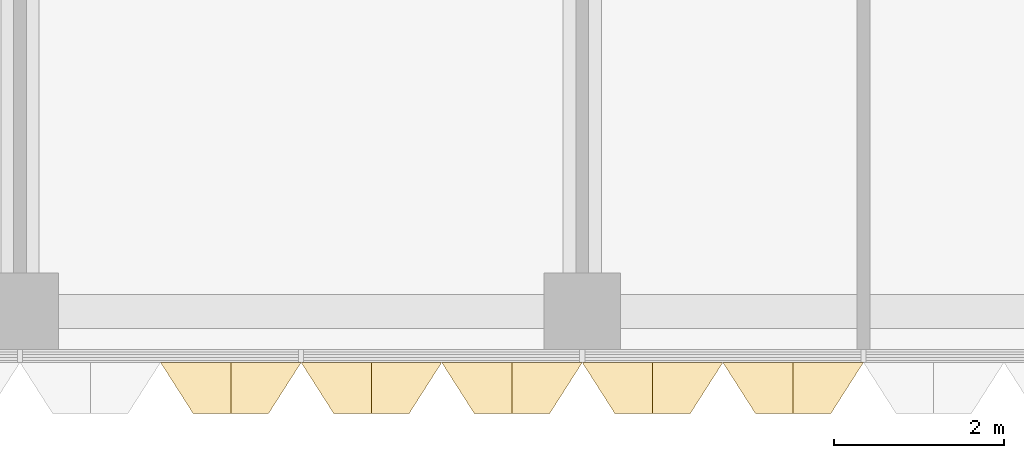
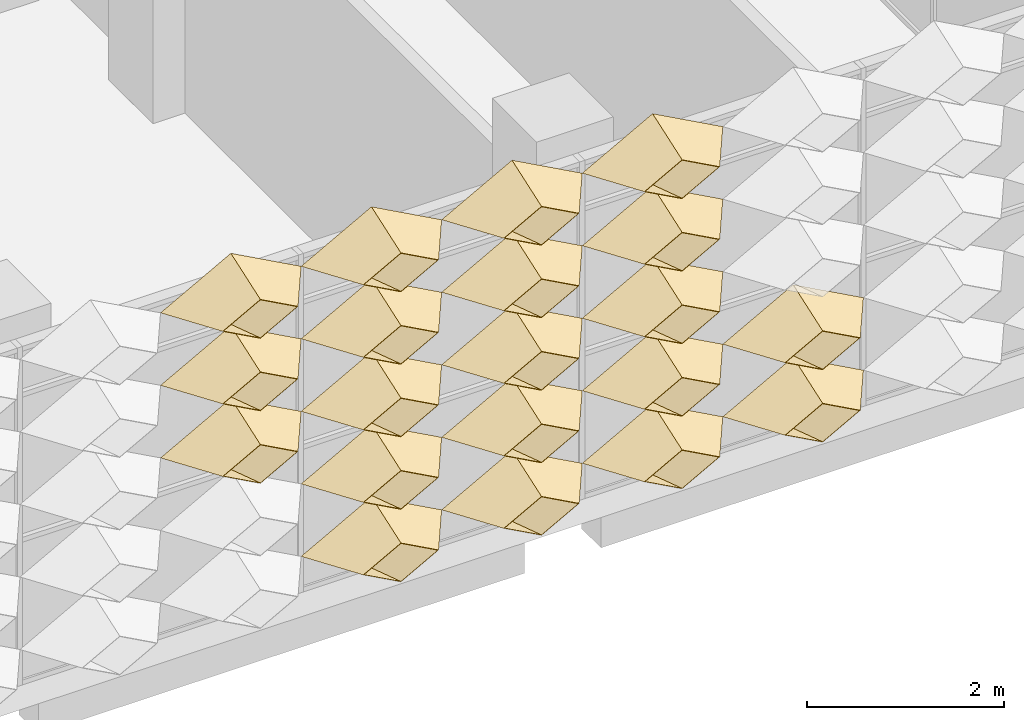
# One storey, part 75 of 102: 20 coverings.
"""IFC4 building model written with IfcOpenShell, lengths in metres."""

from ifc_helpers import new_model, entity, si_unit, direction, frame, origin, place, context, subcontext, project, spatial, material, layer, layer_set, type_object, element, save


model = new_model("IFC4")

# Units and contexts
model_context = context("Model", 3, precision=1e-05, world=origin(), true_north=direction((0.0, 1.0)))
body_context = subcontext(model_context, "Body", "Model", "MODEL_VIEW")
ifc_project = project(units=[si_unit("LENGTHUNIT", "METRE"), si_unit("AREAUNIT", "SQUARE_METRE"), si_unit("VOLUMEUNIT", "CUBIC_METRE"), si_unit("PLANEANGLEUNIT", "RADIAN"), si_unit("MASSUNIT", "GRAM", prefix="KILO")], contexts=[model_context])

# Site, building, storey
site_placement = place(None, origin())
site = spatial("IfcSite", under=ifc_project, at=site_placement, CompositionType="ELEMENT")
building_placement = place(site_placement, origin())
building = spatial("IfcBuilding", under=site, at=building_placement, Name="Lantern Court Research Institute", CompositionType="ELEMENT")
storey_placement = place(building_placement, frame((0.0, 0.0, 9.89990234375)))
storey = spatial("IfcBuildingStorey", under=building, at=storey_placement, Name="L02", CompositionType="ELEMENT", Elevation=9.89990234375)

# Coverings
ifc_material = material(Name="Anodised aluminium", Category="aluminium")
ifc_layer = layer(ifc_material, 0.01611328125)
ifc_layer_set = layer_set([ifc_layer], Name="Anodised aluminium")
covering_type = type_object("IfcCoveringType", Name="Fin cassette 1650 x 900 x 600 aluminium", PredefinedType="CLADDING", material=ifc_layer_set)
covering_1_placement = place(storey_placement, frame((70.125, -8.39990234375, 0.4501953125), z_axis=(0.0, -1.0, 0.0), x_axis=(1.0, 0.0, 0.0)))
cartesian_point_1 = entity("IfcCartesianPoint", [0.824951171875, 0.0])
cartesian_point_2 = entity("IfcCartesianPoint", [0.79150390625, 0.0])
cartesian_point_3 = entity("IfcCartesianPoint", [0.44189453125, 0.0])
cartesian_point_4 = entity("IfcCartesianPoint", [0.43359375, 0.0])
element("IfcCovering", 1, at=covering_1_placement, inside=storey, type_object=covering_type, Name="Fin cassette V5S-L02 1.43", PredefinedType="CLADDING", context=body_context, shape_type="SweptSolid", body=[
    entity("IfcExtrudedAreaSolidTapered", entity("IfcArbitraryProfileDefWithVoids", "AREA", None, entity("IfcPolyline", [cartesian_point_1, entity("IfcCartesianPoint", [0.0, 0.449951171875]), entity("IfcCartesianPoint", [-0.824951171875, 0.0]), entity("IfcCartesianPoint", [0.0, -0.449951171875]), cartesian_point_1]), [entity("IfcPolyline", [cartesian_point_2, entity("IfcCartesianPoint", [0.0, 0.431884765625]), entity("IfcCartesianPoint", [-0.79150390625, 0.0]), entity("IfcCartesianPoint", [0.0, -0.431884765625]), cartesian_point_2])]), entity("IfcAxis2Placement3D", entity("IfcCartesianPoint", [0.0, 0.0, 0.0])), entity("IfcDirection", [0.0, 0.0, 1.0]), 0.60009765625, entity("IfcArbitraryProfileDefWithVoids", "AREA", None, entity("IfcPolyline", [cartesian_point_3, entity("IfcCartesianPoint", [0.0, 0.240966796875]), entity("IfcCartesianPoint", [-0.44189453125, 0.0]), entity("IfcCartesianPoint", [0.0, -0.240966796875]), cartesian_point_3]), [entity("IfcPolyline", [cartesian_point_4, entity("IfcCartesianPoint", [0.0, 0.236572265625]), entity("IfcCartesianPoint", [-0.43359375, 0.0]), entity("IfcCartesianPoint", [0.0, -0.236572265625]), cartesian_point_4])])),
])
covering_2_placement = place(storey_placement, frame((71.77490234375, -8.39990234375, 0.4501953125), z_axis=(0.0, -1.0, 0.0), x_axis=(1.0, 0.0, 0.0)))
cartesian_point_5 = entity("IfcCartesianPoint", [0.824951171875, 0.0])
cartesian_point_6 = entity("IfcCartesianPoint", [0.79150390625, 0.0])
cartesian_point_7 = entity("IfcCartesianPoint", [0.44189453125, 0.0])
cartesian_point_8 = entity("IfcCartesianPoint", [0.43359375, 0.0])
element("IfcCovering", 2, at=covering_2_placement, inside=storey, type_object=covering_type, Name="Fin cassette V5S-L02 1.44", PredefinedType="CLADDING", context=body_context, shape_type="SweptSolid", body=[
    entity("IfcExtrudedAreaSolidTapered", entity("IfcArbitraryProfileDefWithVoids", "AREA", None, entity("IfcPolyline", [cartesian_point_5, entity("IfcCartesianPoint", [0.0, 0.449951171875]), entity("IfcCartesianPoint", [-0.824951171875, 0.0]), entity("IfcCartesianPoint", [0.0, -0.449951171875]), cartesian_point_5]), [entity("IfcPolyline", [cartesian_point_6, entity("IfcCartesianPoint", [0.0, 0.431884765625]), entity("IfcCartesianPoint", [-0.79150390625, 0.0]), entity("IfcCartesianPoint", [0.0, -0.431884765625]), cartesian_point_6])]), entity("IfcAxis2Placement3D", entity("IfcCartesianPoint", [0.0, 0.0, 0.0])), entity("IfcDirection", [0.0, 0.0, 1.0]), 0.60009765625, entity("IfcArbitraryProfileDefWithVoids", "AREA", None, entity("IfcPolyline", [cartesian_point_7, entity("IfcCartesianPoint", [0.0, 0.240966796875]), entity("IfcCartesianPoint", [-0.44189453125, 0.0]), entity("IfcCartesianPoint", [0.0, -0.240966796875]), cartesian_point_7]), [entity("IfcPolyline", [cartesian_point_8, entity("IfcCartesianPoint", [0.0, 0.236572265625]), entity("IfcCartesianPoint", [-0.43359375, 0.0]), entity("IfcCartesianPoint", [0.0, -0.236572265625]), cartesian_point_8])])),
])
covering_3_placement = place(storey_placement, frame((73.425048828125, -8.39990234375, 0.4501953125), z_axis=(0.0, -1.0, 0.0), x_axis=(1.0, 0.0, 0.0)))
cartesian_point_9 = entity("IfcCartesianPoint", [0.824951171875, 0.0])
cartesian_point_10 = entity("IfcCartesianPoint", [0.79150390625, 0.0])
cartesian_point_11 = entity("IfcCartesianPoint", [0.44189453125, 0.0])
cartesian_point_12 = entity("IfcCartesianPoint", [0.43359375, 0.0])
element("IfcCovering", 3, at=covering_3_placement, inside=storey, type_object=covering_type, Name="Fin cassette V5S-L02 1.45", PredefinedType="CLADDING", context=body_context, shape_type="SweptSolid", body=[
    entity("IfcExtrudedAreaSolidTapered", entity("IfcArbitraryProfileDefWithVoids", "AREA", None, entity("IfcPolyline", [cartesian_point_9, entity("IfcCartesianPoint", [0.0, 0.449951171875]), entity("IfcCartesianPoint", [-0.824951171875, 0.0]), entity("IfcCartesianPoint", [0.0, -0.449951171875]), cartesian_point_9]), [entity("IfcPolyline", [cartesian_point_10, entity("IfcCartesianPoint", [0.0, 0.431884765625]), entity("IfcCartesianPoint", [-0.79150390625, 0.0]), entity("IfcCartesianPoint", [0.0, -0.431884765625]), cartesian_point_10])]), entity("IfcAxis2Placement3D", entity("IfcCartesianPoint", [0.0, 0.0, 0.0])), entity("IfcDirection", [0.0, 0.0, 1.0]), 0.60009765625, entity("IfcArbitraryProfileDefWithVoids", "AREA", None, entity("IfcPolyline", [cartesian_point_11, entity("IfcCartesianPoint", [0.0, 0.240966796875]), entity("IfcCartesianPoint", [-0.44189453125, 0.0]), entity("IfcCartesianPoint", [0.0, -0.240966796875]), cartesian_point_11]), [entity("IfcPolyline", [cartesian_point_12, entity("IfcCartesianPoint", [0.0, 0.236572265625]), entity("IfcCartesianPoint", [-0.43359375, 0.0]), entity("IfcCartesianPoint", [0.0, -0.236572265625]), cartesian_point_12])])),
])
covering_4_placement = place(storey_placement, frame((75.074951171875, -8.39990234375, 0.4501953125), z_axis=(0.0, -1.0, 0.0), x_axis=(1.0, 0.0, 0.0)))
cartesian_point_13 = entity("IfcCartesianPoint", [0.824951171875, 0.0])
cartesian_point_14 = entity("IfcCartesianPoint", [0.79150390625, 0.0])
cartesian_point_15 = entity("IfcCartesianPoint", [0.44189453125, 0.0])
cartesian_point_16 = entity("IfcCartesianPoint", [0.43359375, 0.0])
element("IfcCovering", 4, at=covering_4_placement, inside=storey, type_object=covering_type, Name="Fin cassette V5S-L02 1.46", PredefinedType="CLADDING", context=body_context, shape_type="SweptSolid", body=[
    entity("IfcExtrudedAreaSolidTapered", entity("IfcArbitraryProfileDefWithVoids", "AREA", None, entity("IfcPolyline", [cartesian_point_13, entity("IfcCartesianPoint", [0.0, 0.449951171875]), entity("IfcCartesianPoint", [-0.824951171875, 0.0]), entity("IfcCartesianPoint", [0.0, -0.449951171875]), cartesian_point_13]), [entity("IfcPolyline", [cartesian_point_14, entity("IfcCartesianPoint", [0.0, 0.431884765625]), entity("IfcCartesianPoint", [-0.79150390625, 0.0]), entity("IfcCartesianPoint", [0.0, -0.431884765625]), cartesian_point_14])]), entity("IfcAxis2Placement3D", entity("IfcCartesianPoint", [0.0, 0.0, 0.0])), entity("IfcDirection", [0.0, 0.0, 1.0]), 0.60009765625, entity("IfcArbitraryProfileDefWithVoids", "AREA", None, entity("IfcPolyline", [cartesian_point_15, entity("IfcCartesianPoint", [0.0, 0.240966796875]), entity("IfcCartesianPoint", [-0.44189453125, 0.0]), entity("IfcCartesianPoint", [0.0, -0.240966796875]), cartesian_point_15]), [entity("IfcPolyline", [cartesian_point_16, entity("IfcCartesianPoint", [0.0, 0.236572265625]), entity("IfcCartesianPoint", [-0.43359375, 0.0]), entity("IfcCartesianPoint", [0.0, -0.236572265625]), cartesian_point_16])])),
])
covering_5_placement = place(storey_placement, frame((70.125, -8.39990234375, 1.35009765625), z_axis=(0.0, -1.0, 0.0), x_axis=(1.0, 0.0, 0.0)))
cartesian_point_17 = entity("IfcCartesianPoint", [0.824951171875, 0.0])
cartesian_point_18 = entity("IfcCartesianPoint", [0.79150390625, 0.0])
cartesian_point_19 = entity("IfcCartesianPoint", [0.44189453125, 0.0])
cartesian_point_20 = entity("IfcCartesianPoint", [0.43359375, 0.0])
element("IfcCovering", 5, at=covering_5_placement, inside=storey, type_object=covering_type, Name="Fin cassette V5S-L02 2.43", PredefinedType="CLADDING", context=body_context, shape_type="SweptSolid", body=[
    entity("IfcExtrudedAreaSolidTapered", entity("IfcArbitraryProfileDefWithVoids", "AREA", None, entity("IfcPolyline", [cartesian_point_17, entity("IfcCartesianPoint", [0.0, 0.449951171875]), entity("IfcCartesianPoint", [-0.824951171875, 0.0]), entity("IfcCartesianPoint", [0.0, -0.449951171875]), cartesian_point_17]), [entity("IfcPolyline", [cartesian_point_18, entity("IfcCartesianPoint", [0.0, 0.431884765625]), entity("IfcCartesianPoint", [-0.79150390625, 0.0]), entity("IfcCartesianPoint", [0.0, -0.431884765625]), cartesian_point_18])]), entity("IfcAxis2Placement3D", entity("IfcCartesianPoint", [0.0, 0.0, 0.0])), entity("IfcDirection", [0.0, 0.0, 1.0]), 0.60009765625, entity("IfcArbitraryProfileDefWithVoids", "AREA", None, entity("IfcPolyline", [cartesian_point_19, entity("IfcCartesianPoint", [0.0, 0.240966796875]), entity("IfcCartesianPoint", [-0.44189453125, 0.0]), entity("IfcCartesianPoint", [0.0, -0.240966796875]), cartesian_point_19]), [entity("IfcPolyline", [cartesian_point_20, entity("IfcCartesianPoint", [0.0, 0.236572265625]), entity("IfcCartesianPoint", [-0.43359375, 0.0]), entity("IfcCartesianPoint", [0.0, -0.236572265625]), cartesian_point_20])])),
])
covering_6_placement = place(storey_placement, frame((71.77490234375, -8.39990234375, 1.35009765625), z_axis=(0.0, -1.0, 0.0), x_axis=(1.0, 0.0, 0.0)))
cartesian_point_21 = entity("IfcCartesianPoint", [0.824951171875, 0.0])
cartesian_point_22 = entity("IfcCartesianPoint", [0.79150390625, 0.0])
cartesian_point_23 = entity("IfcCartesianPoint", [0.44189453125, 0.0])
cartesian_point_24 = entity("IfcCartesianPoint", [0.43359375, 0.0])
element("IfcCovering", 6, at=covering_6_placement, inside=storey, type_object=covering_type, Name="Fin cassette V5S-L02 2.44", PredefinedType="CLADDING", context=body_context, shape_type="SweptSolid", body=[
    entity("IfcExtrudedAreaSolidTapered", entity("IfcArbitraryProfileDefWithVoids", "AREA", None, entity("IfcPolyline", [cartesian_point_21, entity("IfcCartesianPoint", [0.0, 0.449951171875]), entity("IfcCartesianPoint", [-0.824951171875, 0.0]), entity("IfcCartesianPoint", [0.0, -0.449951171875]), cartesian_point_21]), [entity("IfcPolyline", [cartesian_point_22, entity("IfcCartesianPoint", [0.0, 0.431884765625]), entity("IfcCartesianPoint", [-0.79150390625, 0.0]), entity("IfcCartesianPoint", [0.0, -0.431884765625]), cartesian_point_22])]), entity("IfcAxis2Placement3D", entity("IfcCartesianPoint", [0.0, 0.0, 0.0])), entity("IfcDirection", [0.0, 0.0, 1.0]), 0.60009765625, entity("IfcArbitraryProfileDefWithVoids", "AREA", None, entity("IfcPolyline", [cartesian_point_23, entity("IfcCartesianPoint", [0.0, 0.240966796875]), entity("IfcCartesianPoint", [-0.44189453125, 0.0]), entity("IfcCartesianPoint", [0.0, -0.240966796875]), cartesian_point_23]), [entity("IfcPolyline", [cartesian_point_24, entity("IfcCartesianPoint", [0.0, 0.236572265625]), entity("IfcCartesianPoint", [-0.43359375, 0.0]), entity("IfcCartesianPoint", [0.0, -0.236572265625]), cartesian_point_24])])),
])
covering_7_placement = place(storey_placement, frame((73.425048828125, -8.39990234375, 1.35009765625), z_axis=(0.0, -1.0, 0.0), x_axis=(1.0, 0.0, 0.0)))
cartesian_point_25 = entity("IfcCartesianPoint", [0.824951171875, 0.0])
cartesian_point_26 = entity("IfcCartesianPoint", [0.79150390625, 0.0])
cartesian_point_27 = entity("IfcCartesianPoint", [0.44189453125, 0.0])
cartesian_point_28 = entity("IfcCartesianPoint", [0.43359375, 0.0])
element("IfcCovering", 7, at=covering_7_placement, inside=storey, type_object=covering_type, Name="Fin cassette V5S-L02 2.45", PredefinedType="CLADDING", context=body_context, shape_type="SweptSolid", body=[
    entity("IfcExtrudedAreaSolidTapered", entity("IfcArbitraryProfileDefWithVoids", "AREA", None, entity("IfcPolyline", [cartesian_point_25, entity("IfcCartesianPoint", [0.0, 0.449951171875]), entity("IfcCartesianPoint", [-0.824951171875, 0.0]), entity("IfcCartesianPoint", [0.0, -0.449951171875]), cartesian_point_25]), [entity("IfcPolyline", [cartesian_point_26, entity("IfcCartesianPoint", [0.0, 0.431884765625]), entity("IfcCartesianPoint", [-0.79150390625, 0.0]), entity("IfcCartesianPoint", [0.0, -0.431884765625]), cartesian_point_26])]), entity("IfcAxis2Placement3D", entity("IfcCartesianPoint", [0.0, 0.0, 0.0])), entity("IfcDirection", [0.0, 0.0, 1.0]), 0.60009765625, entity("IfcArbitraryProfileDefWithVoids", "AREA", None, entity("IfcPolyline", [cartesian_point_27, entity("IfcCartesianPoint", [0.0, 0.240966796875]), entity("IfcCartesianPoint", [-0.44189453125, 0.0]), entity("IfcCartesianPoint", [0.0, -0.240966796875]), cartesian_point_27]), [entity("IfcPolyline", [cartesian_point_28, entity("IfcCartesianPoint", [0.0, 0.236572265625]), entity("IfcCartesianPoint", [-0.43359375, 0.0]), entity("IfcCartesianPoint", [0.0, -0.236572265625]), cartesian_point_28])])),
])
covering_8_placement = place(storey_placement, frame((75.074951171875, -8.39990234375, 1.35009765625), z_axis=(0.0, -1.0, 0.0), x_axis=(1.0, 0.0, 0.0)))
cartesian_point_29 = entity("IfcCartesianPoint", [0.824951171875, 0.0])
cartesian_point_30 = entity("IfcCartesianPoint", [0.79150390625, 0.0])
cartesian_point_31 = entity("IfcCartesianPoint", [0.44189453125, 0.0])
cartesian_point_32 = entity("IfcCartesianPoint", [0.43359375, 0.0])
element("IfcCovering", 8, at=covering_8_placement, inside=storey, type_object=covering_type, Name="Fin cassette V5S-L02 2.46", PredefinedType="CLADDING", context=body_context, shape_type="SweptSolid", body=[
    entity("IfcExtrudedAreaSolidTapered", entity("IfcArbitraryProfileDefWithVoids", "AREA", None, entity("IfcPolyline", [cartesian_point_29, entity("IfcCartesianPoint", [0.0, 0.449951171875]), entity("IfcCartesianPoint", [-0.824951171875, 0.0]), entity("IfcCartesianPoint", [0.0, -0.449951171875]), cartesian_point_29]), [entity("IfcPolyline", [cartesian_point_30, entity("IfcCartesianPoint", [0.0, 0.431884765625]), entity("IfcCartesianPoint", [-0.79150390625, 0.0]), entity("IfcCartesianPoint", [0.0, -0.431884765625]), cartesian_point_30])]), entity("IfcAxis2Placement3D", entity("IfcCartesianPoint", [0.0, 0.0, 0.0])), entity("IfcDirection", [0.0, 0.0, 1.0]), 0.60009765625, entity("IfcArbitraryProfileDefWithVoids", "AREA", None, entity("IfcPolyline", [cartesian_point_31, entity("IfcCartesianPoint", [0.0, 0.240966796875]), entity("IfcCartesianPoint", [-0.44189453125, 0.0]), entity("IfcCartesianPoint", [0.0, -0.240966796875]), cartesian_point_31]), [entity("IfcPolyline", [cartesian_point_32, entity("IfcCartesianPoint", [0.0, 0.236572265625]), entity("IfcCartesianPoint", [-0.43359375, 0.0]), entity("IfcCartesianPoint", [0.0, -0.236572265625]), cartesian_point_32])])),
])
covering_9_placement = place(storey_placement, frame((68.47509765625, -8.39990234375, 2.25), z_axis=(0.0, -1.0, 0.0), x_axis=(1.0, 0.0, 0.0)))
cartesian_point_33 = entity("IfcCartesianPoint", [0.824951171875, 0.0])
cartesian_point_34 = entity("IfcCartesianPoint", [0.79150390625, 0.0])
cartesian_point_35 = entity("IfcCartesianPoint", [0.44189453125, 0.0])
cartesian_point_36 = entity("IfcCartesianPoint", [0.43359375, 0.0])
element("IfcCovering", 9, at=covering_9_placement, inside=storey, type_object=covering_type, Name="Fin cassette V5S-L02 3.42", PredefinedType="CLADDING", context=body_context, shape_type="SweptSolid", body=[
    entity("IfcExtrudedAreaSolidTapered", entity("IfcArbitraryProfileDefWithVoids", "AREA", None, entity("IfcPolyline", [cartesian_point_33, entity("IfcCartesianPoint", [0.0, 0.449951171875]), entity("IfcCartesianPoint", [-0.824951171875, 0.0]), entity("IfcCartesianPoint", [0.0, -0.449951171875]), cartesian_point_33]), [entity("IfcPolyline", [cartesian_point_34, entity("IfcCartesianPoint", [0.0, 0.431884765625]), entity("IfcCartesianPoint", [-0.79150390625, 0.0]), entity("IfcCartesianPoint", [0.0, -0.431884765625]), cartesian_point_34])]), entity("IfcAxis2Placement3D", entity("IfcCartesianPoint", [0.0, 0.0, 0.0])), entity("IfcDirection", [0.0, 0.0, 1.0]), 0.60009765625, entity("IfcArbitraryProfileDefWithVoids", "AREA", None, entity("IfcPolyline", [cartesian_point_35, entity("IfcCartesianPoint", [0.0, 0.240966796875]), entity("IfcCartesianPoint", [-0.44189453125, 0.0]), entity("IfcCartesianPoint", [0.0, -0.240966796875]), cartesian_point_35]), [entity("IfcPolyline", [cartesian_point_36, entity("IfcCartesianPoint", [0.0, 0.236572265625]), entity("IfcCartesianPoint", [-0.43359375, 0.0]), entity("IfcCartesianPoint", [0.0, -0.236572265625]), cartesian_point_36])])),
])
covering_10_placement = place(storey_placement, frame((70.125, -8.39990234375, 2.25), z_axis=(0.0, -1.0, 0.0), x_axis=(1.0, 0.0, 0.0)))
cartesian_point_37 = entity("IfcCartesianPoint", [0.824951171875, 0.0])
cartesian_point_38 = entity("IfcCartesianPoint", [0.79150390625, 0.0])
cartesian_point_39 = entity("IfcCartesianPoint", [0.44189453125, 0.0])
cartesian_point_40 = entity("IfcCartesianPoint", [0.43359375, 0.0])
element("IfcCovering", 10, at=covering_10_placement, inside=storey, type_object=covering_type, Name="Fin cassette V5S-L02 3.43", PredefinedType="CLADDING", context=body_context, shape_type="SweptSolid", body=[
    entity("IfcExtrudedAreaSolidTapered", entity("IfcArbitraryProfileDefWithVoids", "AREA", None, entity("IfcPolyline", [cartesian_point_37, entity("IfcCartesianPoint", [0.0, 0.449951171875]), entity("IfcCartesianPoint", [-0.824951171875, 0.0]), entity("IfcCartesianPoint", [0.0, -0.449951171875]), cartesian_point_37]), [entity("IfcPolyline", [cartesian_point_38, entity("IfcCartesianPoint", [0.0, 0.431884765625]), entity("IfcCartesianPoint", [-0.79150390625, 0.0]), entity("IfcCartesianPoint", [0.0, -0.431884765625]), cartesian_point_38])]), entity("IfcAxis2Placement3D", entity("IfcCartesianPoint", [0.0, 0.0, 0.0])), entity("IfcDirection", [0.0, 0.0, 1.0]), 0.60009765625, entity("IfcArbitraryProfileDefWithVoids", "AREA", None, entity("IfcPolyline", [cartesian_point_39, entity("IfcCartesianPoint", [0.0, 0.240966796875]), entity("IfcCartesianPoint", [-0.44189453125, 0.0]), entity("IfcCartesianPoint", [0.0, -0.240966796875]), cartesian_point_39]), [entity("IfcPolyline", [cartesian_point_40, entity("IfcCartesianPoint", [0.0, 0.236572265625]), entity("IfcCartesianPoint", [-0.43359375, 0.0]), entity("IfcCartesianPoint", [0.0, -0.236572265625]), cartesian_point_40])])),
])
covering_11_placement = place(storey_placement, frame((71.77490234375, -8.39990234375, 2.25), z_axis=(0.0, -1.0, 0.0), x_axis=(1.0, 0.0, 0.0)))
cartesian_point_41 = entity("IfcCartesianPoint", [0.824951171875, 0.0])
cartesian_point_42 = entity("IfcCartesianPoint", [0.79150390625, 0.0])
cartesian_point_43 = entity("IfcCartesianPoint", [0.44189453125, 0.0])
cartesian_point_44 = entity("IfcCartesianPoint", [0.43359375, 0.0])
element("IfcCovering", 11, at=covering_11_placement, inside=storey, type_object=covering_type, Name="Fin cassette V5S-L02 3.44", PredefinedType="CLADDING", context=body_context, shape_type="SweptSolid", body=[
    entity("IfcExtrudedAreaSolidTapered", entity("IfcArbitraryProfileDefWithVoids", "AREA", None, entity("IfcPolyline", [cartesian_point_41, entity("IfcCartesianPoint", [0.0, 0.449951171875]), entity("IfcCartesianPoint", [-0.824951171875, 0.0]), entity("IfcCartesianPoint", [0.0, -0.449951171875]), cartesian_point_41]), [entity("IfcPolyline", [cartesian_point_42, entity("IfcCartesianPoint", [0.0, 0.431884765625]), entity("IfcCartesianPoint", [-0.79150390625, 0.0]), entity("IfcCartesianPoint", [0.0, -0.431884765625]), cartesian_point_42])]), entity("IfcAxis2Placement3D", entity("IfcCartesianPoint", [0.0, 0.0, 0.0])), entity("IfcDirection", [0.0, 0.0, 1.0]), 0.60009765625, entity("IfcArbitraryProfileDefWithVoids", "AREA", None, entity("IfcPolyline", [cartesian_point_43, entity("IfcCartesianPoint", [0.0, 0.240966796875]), entity("IfcCartesianPoint", [-0.44189453125, 0.0]), entity("IfcCartesianPoint", [0.0, -0.240966796875]), cartesian_point_43]), [entity("IfcPolyline", [cartesian_point_44, entity("IfcCartesianPoint", [0.0, 0.236572265625]), entity("IfcCartesianPoint", [-0.43359375, 0.0]), entity("IfcCartesianPoint", [0.0, -0.236572265625]), cartesian_point_44])])),
])
covering_12_placement = place(storey_placement, frame((73.425048828125, -8.39990234375, 2.25), z_axis=(0.0, -1.0, 0.0), x_axis=(1.0, 0.0, 0.0)))
cartesian_point_45 = entity("IfcCartesianPoint", [0.824951171875, 0.0])
cartesian_point_46 = entity("IfcCartesianPoint", [0.79150390625, 0.0])
cartesian_point_47 = entity("IfcCartesianPoint", [0.44189453125, 0.0])
cartesian_point_48 = entity("IfcCartesianPoint", [0.43359375, 0.0])
element("IfcCovering", 12, at=covering_12_placement, inside=storey, type_object=covering_type, Name="Fin cassette V5S-L02 3.45", PredefinedType="CLADDING", context=body_context, shape_type="SweptSolid", body=[
    entity("IfcExtrudedAreaSolidTapered", entity("IfcArbitraryProfileDefWithVoids", "AREA", None, entity("IfcPolyline", [cartesian_point_45, entity("IfcCartesianPoint", [0.0, 0.449951171875]), entity("IfcCartesianPoint", [-0.824951171875, 0.0]), entity("IfcCartesianPoint", [0.0, -0.449951171875]), cartesian_point_45]), [entity("IfcPolyline", [cartesian_point_46, entity("IfcCartesianPoint", [0.0, 0.431884765625]), entity("IfcCartesianPoint", [-0.79150390625, 0.0]), entity("IfcCartesianPoint", [0.0, -0.431884765625]), cartesian_point_46])]), entity("IfcAxis2Placement3D", entity("IfcCartesianPoint", [0.0, 0.0, 0.0])), entity("IfcDirection", [0.0, 0.0, 1.0]), 0.60009765625, entity("IfcArbitraryProfileDefWithVoids", "AREA", None, entity("IfcPolyline", [cartesian_point_47, entity("IfcCartesianPoint", [0.0, 0.240966796875]), entity("IfcCartesianPoint", [-0.44189453125, 0.0]), entity("IfcCartesianPoint", [0.0, -0.240966796875]), cartesian_point_47]), [entity("IfcPolyline", [cartesian_point_48, entity("IfcCartesianPoint", [0.0, 0.236572265625]), entity("IfcCartesianPoint", [-0.43359375, 0.0]), entity("IfcCartesianPoint", [0.0, -0.236572265625]), cartesian_point_48])])),
])
covering_13_placement = place(storey_placement, frame((68.47509765625, -8.39990234375, 3.150146484375), z_axis=(0.0, -1.0, 0.0), x_axis=(1.0, 0.0, 0.0)))
cartesian_point_49 = entity("IfcCartesianPoint", [0.824951171875, 0.0])
cartesian_point_50 = entity("IfcCartesianPoint", [0.79150390625, 0.0])
cartesian_point_51 = entity("IfcCartesianPoint", [0.44189453125, 0.0])
cartesian_point_52 = entity("IfcCartesianPoint", [0.43359375, 0.0])
element("IfcCovering", 13, at=covering_13_placement, inside=storey, type_object=covering_type, Name="Fin cassette V5S-L02 4.42", PredefinedType="CLADDING", context=body_context, shape_type="SweptSolid", body=[
    entity("IfcExtrudedAreaSolidTapered", entity("IfcArbitraryProfileDefWithVoids", "AREA", None, entity("IfcPolyline", [cartesian_point_49, entity("IfcCartesianPoint", [0.0, 0.449951171875]), entity("IfcCartesianPoint", [-0.824951171875, 0.0]), entity("IfcCartesianPoint", [0.0, -0.449951171875]), cartesian_point_49]), [entity("IfcPolyline", [cartesian_point_50, entity("IfcCartesianPoint", [0.0, 0.431884765625]), entity("IfcCartesianPoint", [-0.79150390625, 0.0]), entity("IfcCartesianPoint", [0.0, -0.431884765625]), cartesian_point_50])]), entity("IfcAxis2Placement3D", entity("IfcCartesianPoint", [0.0, 0.0, 0.0])), entity("IfcDirection", [0.0, 0.0, 1.0]), 0.60009765625, entity("IfcArbitraryProfileDefWithVoids", "AREA", None, entity("IfcPolyline", [cartesian_point_51, entity("IfcCartesianPoint", [0.0, 0.240966796875]), entity("IfcCartesianPoint", [-0.44189453125, 0.0]), entity("IfcCartesianPoint", [0.0, -0.240966796875]), cartesian_point_51]), [entity("IfcPolyline", [cartesian_point_52, entity("IfcCartesianPoint", [0.0, 0.236572265625]), entity("IfcCartesianPoint", [-0.43359375, 0.0]), entity("IfcCartesianPoint", [0.0, -0.236572265625]), cartesian_point_52])])),
])
covering_14_placement = place(storey_placement, frame((70.125, -8.39990234375, 3.150146484375), z_axis=(0.0, -1.0, 0.0), x_axis=(1.0, 0.0, 0.0)))
cartesian_point_53 = entity("IfcCartesianPoint", [0.824951171875, 0.0])
cartesian_point_54 = entity("IfcCartesianPoint", [0.79150390625, 0.0])
cartesian_point_55 = entity("IfcCartesianPoint", [0.44189453125, 0.0])
cartesian_point_56 = entity("IfcCartesianPoint", [0.43359375, 0.0])
element("IfcCovering", 14, at=covering_14_placement, inside=storey, type_object=covering_type, Name="Fin cassette V5S-L02 4.43", PredefinedType="CLADDING", context=body_context, shape_type="SweptSolid", body=[
    entity("IfcExtrudedAreaSolidTapered", entity("IfcArbitraryProfileDefWithVoids", "AREA", None, entity("IfcPolyline", [cartesian_point_53, entity("IfcCartesianPoint", [0.0, 0.449951171875]), entity("IfcCartesianPoint", [-0.824951171875, 0.0]), entity("IfcCartesianPoint", [0.0, -0.449951171875]), cartesian_point_53]), [entity("IfcPolyline", [cartesian_point_54, entity("IfcCartesianPoint", [0.0, 0.431884765625]), entity("IfcCartesianPoint", [-0.79150390625, 0.0]), entity("IfcCartesianPoint", [0.0, -0.431884765625]), cartesian_point_54])]), entity("IfcAxis2Placement3D", entity("IfcCartesianPoint", [0.0, 0.0, 0.0])), entity("IfcDirection", [0.0, 0.0, 1.0]), 0.60009765625, entity("IfcArbitraryProfileDefWithVoids", "AREA", None, entity("IfcPolyline", [cartesian_point_55, entity("IfcCartesianPoint", [0.0, 0.240966796875]), entity("IfcCartesianPoint", [-0.44189453125, 0.0]), entity("IfcCartesianPoint", [0.0, -0.240966796875]), cartesian_point_55]), [entity("IfcPolyline", [cartesian_point_56, entity("IfcCartesianPoint", [0.0, 0.236572265625]), entity("IfcCartesianPoint", [-0.43359375, 0.0]), entity("IfcCartesianPoint", [0.0, -0.236572265625]), cartesian_point_56])])),
])
covering_15_placement = place(storey_placement, frame((71.77490234375, -8.39990234375, 3.150146484375), z_axis=(0.0, -1.0, 0.0), x_axis=(1.0, 0.0, 0.0)))
cartesian_point_57 = entity("IfcCartesianPoint", [0.824951171875, 0.0])
cartesian_point_58 = entity("IfcCartesianPoint", [0.79150390625, 0.0])
cartesian_point_59 = entity("IfcCartesianPoint", [0.44189453125, 0.0])
cartesian_point_60 = entity("IfcCartesianPoint", [0.43359375, 0.0])
element("IfcCovering", 15, at=covering_15_placement, inside=storey, type_object=covering_type, Name="Fin cassette V5S-L02 4.44", PredefinedType="CLADDING", context=body_context, shape_type="SweptSolid", body=[
    entity("IfcExtrudedAreaSolidTapered", entity("IfcArbitraryProfileDefWithVoids", "AREA", None, entity("IfcPolyline", [cartesian_point_57, entity("IfcCartesianPoint", [0.0, 0.449951171875]), entity("IfcCartesianPoint", [-0.824951171875, 0.0]), entity("IfcCartesianPoint", [0.0, -0.449951171875]), cartesian_point_57]), [entity("IfcPolyline", [cartesian_point_58, entity("IfcCartesianPoint", [0.0, 0.431884765625]), entity("IfcCartesianPoint", [-0.79150390625, 0.0]), entity("IfcCartesianPoint", [0.0, -0.431884765625]), cartesian_point_58])]), entity("IfcAxis2Placement3D", entity("IfcCartesianPoint", [0.0, 0.0, 0.0])), entity("IfcDirection", [0.0, 0.0, 1.0]), 0.60009765625, entity("IfcArbitraryProfileDefWithVoids", "AREA", None, entity("IfcPolyline", [cartesian_point_59, entity("IfcCartesianPoint", [0.0, 0.240966796875]), entity("IfcCartesianPoint", [-0.44189453125, 0.0]), entity("IfcCartesianPoint", [0.0, -0.240966796875]), cartesian_point_59]), [entity("IfcPolyline", [cartesian_point_60, entity("IfcCartesianPoint", [0.0, 0.236572265625]), entity("IfcCartesianPoint", [-0.43359375, 0.0]), entity("IfcCartesianPoint", [0.0, -0.236572265625]), cartesian_point_60])])),
])
covering_16_placement = place(storey_placement, frame((73.425048828125, -8.39990234375, 3.150146484375), z_axis=(0.0, -1.0, 0.0), x_axis=(1.0, 0.0, 0.0)))
cartesian_point_61 = entity("IfcCartesianPoint", [0.824951171875, 0.0])
cartesian_point_62 = entity("IfcCartesianPoint", [0.79150390625, 0.0])
cartesian_point_63 = entity("IfcCartesianPoint", [0.44189453125, 0.0])
cartesian_point_64 = entity("IfcCartesianPoint", [0.43359375, 0.0])
element("IfcCovering", 16, at=covering_16_placement, inside=storey, type_object=covering_type, Name="Fin cassette V5S-L02 4.45", PredefinedType="CLADDING", context=body_context, shape_type="SweptSolid", body=[
    entity("IfcExtrudedAreaSolidTapered", entity("IfcArbitraryProfileDefWithVoids", "AREA", None, entity("IfcPolyline", [cartesian_point_61, entity("IfcCartesianPoint", [0.0, 0.449951171875]), entity("IfcCartesianPoint", [-0.824951171875, 0.0]), entity("IfcCartesianPoint", [0.0, -0.449951171875]), cartesian_point_61]), [entity("IfcPolyline", [cartesian_point_62, entity("IfcCartesianPoint", [0.0, 0.431884765625]), entity("IfcCartesianPoint", [-0.79150390625, 0.0]), entity("IfcCartesianPoint", [0.0, -0.431884765625]), cartesian_point_62])]), entity("IfcAxis2Placement3D", entity("IfcCartesianPoint", [0.0, 0.0, 0.0])), entity("IfcDirection", [0.0, 0.0, 1.0]), 0.60009765625, entity("IfcArbitraryProfileDefWithVoids", "AREA", None, entity("IfcPolyline", [cartesian_point_63, entity("IfcCartesianPoint", [0.0, 0.240966796875]), entity("IfcCartesianPoint", [-0.44189453125, 0.0]), entity("IfcCartesianPoint", [0.0, -0.240966796875]), cartesian_point_63]), [entity("IfcPolyline", [cartesian_point_64, entity("IfcCartesianPoint", [0.0, 0.236572265625]), entity("IfcCartesianPoint", [-0.43359375, 0.0]), entity("IfcCartesianPoint", [0.0, -0.236572265625]), cartesian_point_64])])),
])
covering_17_placement = place(storey_placement, frame((68.47509765625, -8.39990234375, 4.050048828125), z_axis=(0.0, -1.0, 0.0), x_axis=(1.0, 0.0, 0.0)))
cartesian_point_65 = entity("IfcCartesianPoint", [0.824951171875, 0.0])
cartesian_point_66 = entity("IfcCartesianPoint", [0.79150390625, 0.0])
cartesian_point_67 = entity("IfcCartesianPoint", [0.44189453125, 0.0])
cartesian_point_68 = entity("IfcCartesianPoint", [0.43359375, 0.0])
element("IfcCovering", 17, at=covering_17_placement, inside=storey, type_object=covering_type, Name="Fin cassette V5S-L02 5.42", PredefinedType="CLADDING", context=body_context, shape_type="SweptSolid", body=[
    entity("IfcExtrudedAreaSolidTapered", entity("IfcArbitraryProfileDefWithVoids", "AREA", None, entity("IfcPolyline", [cartesian_point_65, entity("IfcCartesianPoint", [0.0, 0.449951171875]), entity("IfcCartesianPoint", [-0.824951171875, 0.0]), entity("IfcCartesianPoint", [0.0, -0.449951171875]), cartesian_point_65]), [entity("IfcPolyline", [cartesian_point_66, entity("IfcCartesianPoint", [0.0, 0.431884765625]), entity("IfcCartesianPoint", [-0.79150390625, 0.0]), entity("IfcCartesianPoint", [0.0, -0.431884765625]), cartesian_point_66])]), entity("IfcAxis2Placement3D", entity("IfcCartesianPoint", [0.0, 0.0, 0.0])), entity("IfcDirection", [0.0, 0.0, 1.0]), 0.60009765625, entity("IfcArbitraryProfileDefWithVoids", "AREA", None, entity("IfcPolyline", [cartesian_point_67, entity("IfcCartesianPoint", [0.0, 0.240966796875]), entity("IfcCartesianPoint", [-0.44189453125, 0.0]), entity("IfcCartesianPoint", [0.0, -0.240966796875]), cartesian_point_67]), [entity("IfcPolyline", [cartesian_point_68, entity("IfcCartesianPoint", [0.0, 0.236572265625]), entity("IfcCartesianPoint", [-0.43359375, 0.0]), entity("IfcCartesianPoint", [0.0, -0.236572265625]), cartesian_point_68])])),
])
covering_18_placement = place(storey_placement, frame((70.125, -8.39990234375, 4.050048828125), z_axis=(0.0, -1.0, 0.0), x_axis=(1.0, 0.0, 0.0)))
cartesian_point_69 = entity("IfcCartesianPoint", [0.824951171875, 0.0])
cartesian_point_70 = entity("IfcCartesianPoint", [0.79150390625, 0.0])
cartesian_point_71 = entity("IfcCartesianPoint", [0.44189453125, 0.0])
cartesian_point_72 = entity("IfcCartesianPoint", [0.43359375, 0.0])
element("IfcCovering", 18, at=covering_18_placement, inside=storey, type_object=covering_type, Name="Fin cassette V5S-L02 5.43", PredefinedType="CLADDING", context=body_context, shape_type="SweptSolid", body=[
    entity("IfcExtrudedAreaSolidTapered", entity("IfcArbitraryProfileDefWithVoids", "AREA", None, entity("IfcPolyline", [cartesian_point_69, entity("IfcCartesianPoint", [0.0, 0.449951171875]), entity("IfcCartesianPoint", [-0.824951171875, 0.0]), entity("IfcCartesianPoint", [0.0, -0.449951171875]), cartesian_point_69]), [entity("IfcPolyline", [cartesian_point_70, entity("IfcCartesianPoint", [0.0, 0.431884765625]), entity("IfcCartesianPoint", [-0.79150390625, 0.0]), entity("IfcCartesianPoint", [0.0, -0.431884765625]), cartesian_point_70])]), entity("IfcAxis2Placement3D", entity("IfcCartesianPoint", [0.0, 0.0, 0.0])), entity("IfcDirection", [0.0, 0.0, 1.0]), 0.60009765625, entity("IfcArbitraryProfileDefWithVoids", "AREA", None, entity("IfcPolyline", [cartesian_point_71, entity("IfcCartesianPoint", [0.0, 0.240966796875]), entity("IfcCartesianPoint", [-0.44189453125, 0.0]), entity("IfcCartesianPoint", [0.0, -0.240966796875]), cartesian_point_71]), [entity("IfcPolyline", [cartesian_point_72, entity("IfcCartesianPoint", [0.0, 0.236572265625]), entity("IfcCartesianPoint", [-0.43359375, 0.0]), entity("IfcCartesianPoint", [0.0, -0.236572265625]), cartesian_point_72])])),
])
covering_19_placement = place(storey_placement, frame((71.77490234375, -8.39990234375, 4.050048828125), z_axis=(0.0, -1.0, 0.0), x_axis=(1.0, 0.0, 0.0)))
cartesian_point_73 = entity("IfcCartesianPoint", [0.824951171875, 0.0])
cartesian_point_74 = entity("IfcCartesianPoint", [0.79150390625, 0.0])
cartesian_point_75 = entity("IfcCartesianPoint", [0.44189453125, 0.0])
cartesian_point_76 = entity("IfcCartesianPoint", [0.43359375, 0.0])
element("IfcCovering", 19, at=covering_19_placement, inside=storey, type_object=covering_type, Name="Fin cassette V5S-L02 5.44", PredefinedType="CLADDING", context=body_context, shape_type="SweptSolid", body=[
    entity("IfcExtrudedAreaSolidTapered", entity("IfcArbitraryProfileDefWithVoids", "AREA", None, entity("IfcPolyline", [cartesian_point_73, entity("IfcCartesianPoint", [0.0, 0.449951171875]), entity("IfcCartesianPoint", [-0.824951171875, 0.0]), entity("IfcCartesianPoint", [0.0, -0.449951171875]), cartesian_point_73]), [entity("IfcPolyline", [cartesian_point_74, entity("IfcCartesianPoint", [0.0, 0.431884765625]), entity("IfcCartesianPoint", [-0.79150390625, 0.0]), entity("IfcCartesianPoint", [0.0, -0.431884765625]), cartesian_point_74])]), entity("IfcAxis2Placement3D", entity("IfcCartesianPoint", [0.0, 0.0, 0.0])), entity("IfcDirection", [0.0, 0.0, 1.0]), 0.60009765625, entity("IfcArbitraryProfileDefWithVoids", "AREA", None, entity("IfcPolyline", [cartesian_point_75, entity("IfcCartesianPoint", [0.0, 0.240966796875]), entity("IfcCartesianPoint", [-0.44189453125, 0.0]), entity("IfcCartesianPoint", [0.0, -0.240966796875]), cartesian_point_75]), [entity("IfcPolyline", [cartesian_point_76, entity("IfcCartesianPoint", [0.0, 0.236572265625]), entity("IfcCartesianPoint", [-0.43359375, 0.0]), entity("IfcCartesianPoint", [0.0, -0.236572265625]), cartesian_point_76])])),
])
covering_20_placement = place(storey_placement, frame((73.425048828125, -8.39990234375, 4.050048828125), z_axis=(0.0, -1.0, 0.0), x_axis=(1.0, 0.0, 0.0)))
cartesian_point_77 = entity("IfcCartesianPoint", [0.824951171875, 0.0])
cartesian_point_78 = entity("IfcCartesianPoint", [0.79150390625, 0.0])
cartesian_point_79 = entity("IfcCartesianPoint", [0.44189453125, 0.0])
cartesian_point_80 = entity("IfcCartesianPoint", [0.43359375, 0.0])
element("IfcCovering", 20, at=covering_20_placement, inside=storey, type_object=covering_type, Name="Fin cassette V5S-L02 5.45", PredefinedType="CLADDING", context=body_context, shape_type="SweptSolid", body=[
    entity("IfcExtrudedAreaSolidTapered", entity("IfcArbitraryProfileDefWithVoids", "AREA", None, entity("IfcPolyline", [cartesian_point_77, entity("IfcCartesianPoint", [0.0, 0.449951171875]), entity("IfcCartesianPoint", [-0.824951171875, 0.0]), entity("IfcCartesianPoint", [0.0, -0.449951171875]), cartesian_point_77]), [entity("IfcPolyline", [cartesian_point_78, entity("IfcCartesianPoint", [0.0, 0.431884765625]), entity("IfcCartesianPoint", [-0.79150390625, 0.0]), entity("IfcCartesianPoint", [0.0, -0.431884765625]), cartesian_point_78])]), entity("IfcAxis2Placement3D", entity("IfcCartesianPoint", [0.0, 0.0, 0.0])), entity("IfcDirection", [0.0, 0.0, 1.0]), 0.60009765625, entity("IfcArbitraryProfileDefWithVoids", "AREA", None, entity("IfcPolyline", [cartesian_point_79, entity("IfcCartesianPoint", [0.0, 0.240966796875]), entity("IfcCartesianPoint", [-0.44189453125, 0.0]), entity("IfcCartesianPoint", [0.0, -0.240966796875]), cartesian_point_79]), [entity("IfcPolyline", [cartesian_point_80, entity("IfcCartesianPoint", [0.0, 0.236572265625]), entity("IfcCartesianPoint", [-0.43359375, 0.0]), entity("IfcCartesianPoint", [0.0, -0.236572265625]), cartesian_point_80])])),
])

save(model, "model.ifc")
